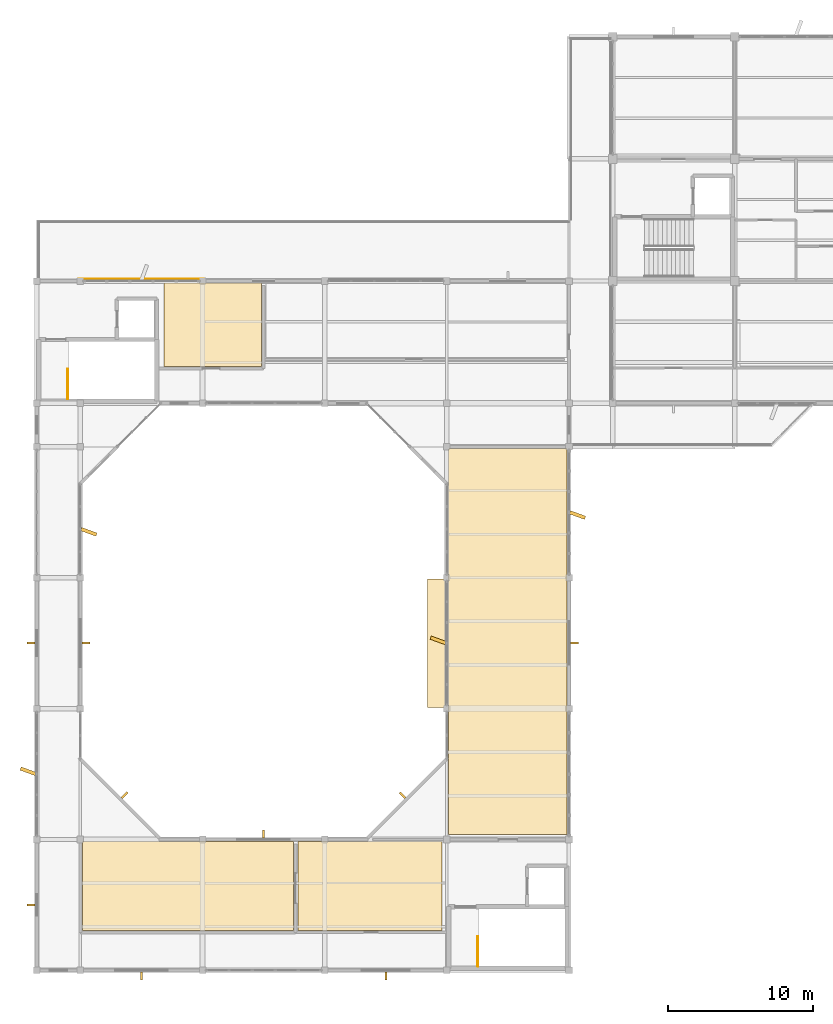
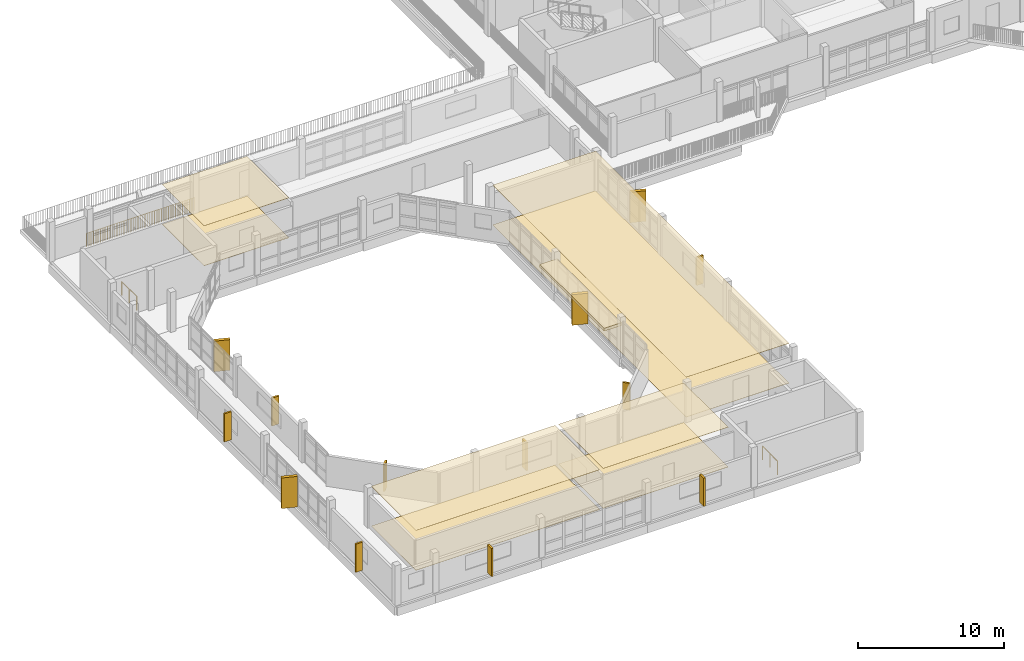
# One storey, part 24 of 33: 13 coverings, 9 shading devices, 3 railings.
"""IFC4 building model written with IfcOpenShell, lengths in metres."""

from ifc_helpers import new_model, si_unit, direction, frame, origin, origin_2d, place, context, subcontext, project, spatial, polyline, rectangle, circle, outline, extrude, material, layer, layer_set, type_object, element, save


model = new_model("IFC4")

# Units and contexts
model_context = context("Model", 3, precision=1e-05, world=origin(), true_north=direction((0.0, 1.0)))
body_context = subcontext(model_context, "Body", "Model", "MODEL_VIEW")
ifc_project = project(units=[si_unit("LENGTHUNIT", "METRE"), si_unit("AREAUNIT", "SQUARE_METRE"), si_unit("VOLUMEUNIT", "CUBIC_METRE"), si_unit("PLANEANGLEUNIT", "RADIAN"), si_unit("MASSUNIT", "GRAM", prefix="KILO")], contexts=[model_context])

# Site, building, storey
site_placement = place(None, origin())
site = spatial("IfcSite", under=ifc_project, at=site_placement, CompositionType="ELEMENT")
building_placement = place(site_placement, origin())
building = spatial("IfcBuilding", under=site, at=building_placement, Name="Vanh Quang Courtyard School", CompositionType="ELEMENT")
storey_placement = place(building_placement, frame((0.0, 0.0, 18.60009765625)))
storey = spatial("IfcBuildingStorey", under=building, at=storey_placement, Name="L05", CompositionType="ELEMENT", Elevation=18.60009765625)

# Coverings
ifc_material_1 = material(Name="Perforated mineral-fibre acoustic ceiling board")
ifc_layer_1 = layer(ifc_material_1, 0.02490234375)
ifc_layer_set_1 = layer_set([ifc_layer_1], Name="Perforated mineral-fibre acoustic ceiling board")
covering_type_1 = type_object("IfcCoveringType", Name="COV-CEIL-ACOUSTIC", PredefinedType="CEILING", material=ifc_layer_set_1)
covering_1_placement = place(storey_placement, frame((0.0, 0.0, 3.324951171875)))
element("IfcCovering", 1, at=covering_1_placement, inside=storey, type_object=covering_type_1, Name="Covering CV-CL1 (L05)", PredefinedType="CEILING", context=body_context, shape_type="SweptSolid", body=[
    extrude(outline(polyline([(55.469970703125, 35.159912109375), (55.469970703125, 35.158935546875), (55.4697265625, 35.157958984375), (55.469482421875, 35.156982421875), (55.46923828125, 35.15625), (55.46875, 35.1552734375), (55.46826171875, 35.154296875), (55.4677734375, 35.15380859375), (55.467041015625, 35.15283203125), (55.46630859375, 35.15234375), (55.465576171875, 35.151611328125), (55.464599609375, 35.151123046875), (55.4638671875, 35.15087890625), (55.462890625, 35.150390625), (55.4619140625, 35.150146484375), (55.4609375, 35.14990234375), (55.4599609375, 35.14990234375), (40.93994140625, 35.14990234375), (40.93896484375, 35.14990234375), (40.93798828125, 35.150146484375), (40.93701171875, 35.150390625), (40.936279296875, 35.15087890625), (40.935302734375, 35.151123046875), (40.934326171875, 35.151611328125), (40.93359375, 35.15234375), (40.932861328125, 35.15283203125), (40.932373046875, 35.15380859375), (40.931640625, 35.154296875), (40.93115234375, 35.1552734375), (40.930908203125, 35.15625), (40.930419921875, 35.156982421875), (40.93017578125, 35.157958984375), (40.929931640625, 35.158935546875), (40.929931640625, 35.159912109375), (40.929931640625, 41.260009765625), (40.929931640625, 41.260986328125), (40.93017578125, 41.261962890625), (40.930419921875, 41.262939453125), (40.930908203125, 41.263916015625), (40.93115234375, 41.2646484375), (40.931640625, 41.265625), (40.932373046875, 41.266357421875), (40.932861328125, 41.26708984375), (40.93359375, 41.267578125), (40.934326171875, 41.268310546875), (40.935302734375, 41.268798828125), (40.936279296875, 41.269287109375), (40.93701171875, 41.26953125), (40.93798828125, 41.269775390625), (40.93896484375, 41.27001953125), (40.93994140625, 41.27001953125), (55.4599609375, 41.27001953125), (55.4609375, 41.27001953125), (55.4619140625, 41.269775390625), (55.462890625, 41.26953125), (55.4638671875, 41.269287109375), (55.464599609375, 41.268798828125), (55.465576171875, 41.268310546875), (55.46630859375, 41.267578125), (55.467041015625, 41.26708984375), (55.4677734375, 41.266357421875), (55.46826171875, 41.265625), (55.46875, 41.2646484375), (55.46923828125, 41.263916015625), (55.469482421875, 41.262939453125), (55.4697265625, 41.261962890625), (55.469970703125, 41.260986328125), (55.469970703125, 41.260009765625), (55.469970703125, 35.159912109375)])), origin(), (0.0, 0.0, 1.0), 0.02490234375),
])
covering_2_placement = place(storey_placement, frame((0.0, 0.0, 3.324951171875)))
element("IfcCovering", 2, at=covering_2_placement, inside=storey, type_object=covering_type_1, Name="Covering CV-CL1 (L05)", PredefinedType="CEILING", context=body_context, shape_type="SweptSolid", body=[
    extrude(outline(polyline([(55.760009765625, 35.14990234375), (55.759033203125, 35.14990234375), (55.758056640625, 35.150146484375), (55.757080078125, 35.150390625), (55.756103515625, 35.15087890625), (55.75537109375, 35.151123046875), (55.75439453125, 35.151611328125), (55.753662109375, 35.15234375), (55.7529296875, 35.15283203125), (55.752197265625, 35.15380859375), (55.751708984375, 35.154296875), (55.751220703125, 35.1552734375), (55.750732421875, 35.15625), (55.75048828125, 35.156982421875), (55.750244140625, 35.157958984375), (55.75, 35.158935546875), (55.75, 35.159912109375), (55.75, 41.260009765625), (55.75, 41.260986328125), (55.750244140625, 41.261962890625), (55.75048828125, 41.262939453125), (55.750732421875, 41.263916015625), (55.751220703125, 41.2646484375), (55.751708984375, 41.265625), (55.752197265625, 41.266357421875), (55.7529296875, 41.26708984375), (55.753662109375, 41.267578125), (55.75439453125, 41.268310546875), (55.75537109375, 41.268798828125), (55.756103515625, 41.269287109375), (55.757080078125, 41.26953125), (55.758056640625, 41.269775390625), (55.759033203125, 41.27001953125), (55.760009765625, 41.27001953125), (65.64990234375, 41.27001953125), (65.64990234375, 35.14990234375), (55.760009765625, 35.14990234375)])), origin(), (0.0, 0.0, 1.0), 0.02490234375),
])
covering_3_placement = place(storey_placement, frame((0.0, 0.0, 3.324951171875)))
element("IfcCovering", 3, at=covering_3_placement, inside=storey, type_object=covering_type_1, Name="Covering CV-CL1 (L05)", PredefinedType="CEILING", context=body_context, shape_type="SweptSolid", body=[
    extrude(outline(polyline([(53.27001953125, 73.93994140625), (53.27001953125, 73.93896484375), (53.269775390625, 73.93798828125), (53.26953125, 73.93701171875), (53.269287109375, 73.936279296875), (53.268798828125, 73.935302734375), (53.268310546875, 73.934326171875), (53.267578125, 73.93359375), (53.26708984375, 73.932861328125), (53.266357421875, 73.932373046875), (53.265625, 73.931640625), (53.2646484375, 73.93115234375), (53.263916015625, 73.930908203125), (53.262939453125, 73.930419921875), (53.261962890625, 73.93017578125), (53.260986328125, 73.929931640625), (53.260009765625, 73.929931640625), (46.550048828125, 73.929931640625), (46.550048828125, 79.669921875), (53.260009765625, 79.669921875), (53.260986328125, 79.669921875), (53.261962890625, 79.669921875), (53.262939453125, 79.669677734375), (53.263916015625, 79.669189453125), (53.2646484375, 79.668701171875), (53.265625, 79.668212890625), (53.266357421875, 79.667724609375), (53.26708984375, 79.6669921875), (53.267578125, 79.666259765625), (53.268310546875, 79.66552734375), (53.268798828125, 79.664794921875), (53.269287109375, 79.663818359375), (53.26953125, 79.662841796875), (53.269775390625, 79.662109375), (53.27001953125, 79.660888671875), (53.27001953125, 79.659912109375), (53.27001953125, 73.93994140625)])), origin(), (0.0, 0.0, 1.0), 0.02490234375),
])
covering_4_placement = place(storey_placement, frame((0.0, 0.0, 3.324951171875)))
element("IfcCovering", 4, at=covering_4_placement, inside=storey, type_object=covering_type_1, Name="Covering CV-CL1 (L05)", PredefinedType="CEILING", context=body_context, shape_type="SweptSolid", body=[
    extrude(outline(polyline([(66.1298828125, 68.260009765625), (66.1298828125, 68.260986328125), (66.130126953125, 68.261962890625), (66.13037109375, 68.262939453125), (66.130859375, 68.263916015625), (66.131103515625, 68.2646484375), (66.131591796875, 68.265625), (66.13232421875, 68.266357421875), (66.1328125, 68.26708984375), (66.1337890625, 68.267578125), (66.134521484375, 68.268310546875), (66.13525390625, 68.268798828125), (66.13623046875, 68.269287109375), (66.13720703125, 68.26953125), (66.137939453125, 68.269775390625), (66.138916015625, 68.27001953125), (66.139892578125, 68.27001953125), (74.260009765625, 68.27001953125), (74.260986328125, 68.27001953125), (74.261962890625, 68.269775390625), (74.262939453125, 68.26953125), (74.263916015625, 68.269287109375), (74.2646484375, 68.268798828125), (74.265625, 68.268310546875), (74.266357421875, 68.267578125), (74.26708984375, 68.26708984375), (74.267578125, 68.266357421875), (74.268310546875, 68.265625), (74.268798828125, 68.2646484375), (74.269287109375, 68.263916015625), (74.26953125, 68.262939453125), (74.269775390625, 68.261962890625), (74.27001953125, 68.260986328125), (74.27001953125, 68.260009765625), (74.27001953125, 41.75), (66.1298828125, 41.75), (66.1298828125, 68.260009765625)])), origin(), (0.0, 0.0, 1.0), 0.02490234375),
])
ifc_material_2 = material(Name="Polished cementitious terrazzo tile", Category="concrete")
ifc_layer_2 = layer(ifc_material_2, 0.02001953125)
ifc_layer_set_2 = layer_set([ifc_layer_2], Name="Polished cementitious terrazzo tile")
covering_type_2 = type_object("IfcCoveringType", Name="COV-FLR-TERRAZZO", PredefinedType="FLOORING", material=ifc_layer_set_2)
covering_5_placement = place(storey_placement, origin())
element("IfcCovering", 5, at=covering_5_placement, inside=storey, type_object=covering_type_2, Name="Covering CV-FL1 (L05)", PredefinedType="FLOORING", context=body_context, shape_type="SweptSolid", body=[
    extrude(outline(polyline([(55.469970703125, 35.159912109375), (55.469970703125, 35.158935546875), (55.4697265625, 35.157958984375), (55.469482421875, 35.156982421875), (55.46923828125, 35.15625), (55.46875, 35.1552734375), (55.46826171875, 35.154296875), (55.4677734375, 35.15380859375), (55.467041015625, 35.15283203125), (55.46630859375, 35.15234375), (55.465576171875, 35.151611328125), (55.464599609375, 35.151123046875), (55.4638671875, 35.15087890625), (55.462890625, 35.150390625), (55.4619140625, 35.150146484375), (55.4609375, 35.14990234375), (55.4599609375, 35.14990234375), (40.93994140625, 35.14990234375), (40.93896484375, 35.14990234375), (40.93798828125, 35.150146484375), (40.93701171875, 35.150390625), (40.936279296875, 35.15087890625), (40.935302734375, 35.151123046875), (40.934326171875, 35.151611328125), (40.93359375, 35.15234375), (40.932861328125, 35.15283203125), (40.932373046875, 35.15380859375), (40.931640625, 35.154296875), (40.93115234375, 35.1552734375), (40.930908203125, 35.15625), (40.930419921875, 35.156982421875), (40.93017578125, 35.157958984375), (40.929931640625, 35.158935546875), (40.929931640625, 35.159912109375), (40.929931640625, 41.260009765625), (40.929931640625, 41.260986328125), (40.93017578125, 41.261962890625), (40.930419921875, 41.262939453125), (40.930908203125, 41.263916015625), (40.93115234375, 41.2646484375), (40.931640625, 41.265625), (40.932373046875, 41.266357421875), (40.932861328125, 41.26708984375), (40.93359375, 41.267578125), (40.934326171875, 41.268310546875), (40.935302734375, 41.268798828125), (40.936279296875, 41.269287109375), (40.93701171875, 41.26953125), (40.93798828125, 41.269775390625), (40.93896484375, 41.27001953125), (40.93994140625, 41.27001953125), (55.4599609375, 41.27001953125), (55.4609375, 41.27001953125), (55.4619140625, 41.269775390625), (55.462890625, 41.26953125), (55.4638671875, 41.269287109375), (55.464599609375, 41.268798828125), (55.465576171875, 41.268310546875), (55.46630859375, 41.267578125), (55.467041015625, 41.26708984375), (55.4677734375, 41.266357421875), (55.46826171875, 41.265625), (55.46875, 41.2646484375), (55.46923828125, 41.263916015625), (55.469482421875, 41.262939453125), (55.4697265625, 41.261962890625), (55.469970703125, 41.260986328125), (55.469970703125, 41.260009765625), (55.469970703125, 35.159912109375)])), origin(), (0.0, 0.0, 1.0), 0.02001953125),
])
covering_6_placement = place(storey_placement, origin())
element("IfcCovering", 6, at=covering_6_placement, inside=storey, type_object=covering_type_2, Name="Covering CV-FL1 (L05)", PredefinedType="FLOORING", context=body_context, shape_type="SweptSolid", body=[
    extrude(outline(polyline([(55.760009765625, 35.14990234375), (55.759033203125, 35.14990234375), (55.758056640625, 35.150146484375), (55.757080078125, 35.150390625), (55.756103515625, 35.15087890625), (55.75537109375, 35.151123046875), (55.75439453125, 35.151611328125), (55.753662109375, 35.15234375), (55.7529296875, 35.15283203125), (55.752197265625, 35.15380859375), (55.751708984375, 35.154296875), (55.751220703125, 35.1552734375), (55.750732421875, 35.15625), (55.75048828125, 35.156982421875), (55.750244140625, 35.157958984375), (55.75, 35.158935546875), (55.75, 35.159912109375), (55.75, 41.260009765625), (55.75, 41.260986328125), (55.750244140625, 41.261962890625), (55.75048828125, 41.262939453125), (55.750732421875, 41.263916015625), (55.751220703125, 41.2646484375), (55.751708984375, 41.265625), (55.752197265625, 41.266357421875), (55.7529296875, 41.26708984375), (55.753662109375, 41.267578125), (55.75439453125, 41.268310546875), (55.75537109375, 41.268798828125), (55.756103515625, 41.269287109375), (55.757080078125, 41.26953125), (55.758056640625, 41.269775390625), (55.759033203125, 41.27001953125), (55.760009765625, 41.27001953125), (65.64990234375, 41.27001953125), (65.64990234375, 35.14990234375), (55.760009765625, 35.14990234375)])), origin(), (0.0, 0.0, 1.0), 0.02001953125),
])
covering_7_placement = place(storey_placement, origin())
element("IfcCovering", 7, at=covering_7_placement, inside=storey, type_object=covering_type_2, Name="Covering CV-FL1 (L05)", PredefinedType="FLOORING", context=body_context, shape_type="SweptSolid", body=[
    extrude(outline(polyline([(53.27001953125, 73.93994140625), (53.27001953125, 73.93896484375), (53.269775390625, 73.93798828125), (53.26953125, 73.93701171875), (53.269287109375, 73.936279296875), (53.268798828125, 73.935302734375), (53.268310546875, 73.934326171875), (53.267578125, 73.93359375), (53.26708984375, 73.932861328125), (53.266357421875, 73.932373046875), (53.265625, 73.931640625), (53.2646484375, 73.93115234375), (53.263916015625, 73.930908203125), (53.262939453125, 73.930419921875), (53.261962890625, 73.93017578125), (53.260986328125, 73.929931640625), (53.260009765625, 73.929931640625), (46.550048828125, 73.929931640625), (46.550048828125, 79.669921875), (53.260009765625, 79.669921875), (53.260986328125, 79.669921875), (53.261962890625, 79.669921875), (53.262939453125, 79.669677734375), (53.263916015625, 79.669189453125), (53.2646484375, 79.668701171875), (53.265625, 79.668212890625), (53.266357421875, 79.667724609375), (53.26708984375, 79.6669921875), (53.267578125, 79.666259765625), (53.268310546875, 79.66552734375), (53.268798828125, 79.664794921875), (53.269287109375, 79.663818359375), (53.26953125, 79.662841796875), (53.269775390625, 79.662109375), (53.27001953125, 79.660888671875), (53.27001953125, 79.659912109375), (53.27001953125, 73.93994140625)])), origin(), (0.0, 0.0, 1.0), 0.02001953125),
])
covering_8_placement = place(storey_placement, origin())
element("IfcCovering", 8, at=covering_8_placement, inside=storey, type_object=covering_type_2, Name="Covering CV-FL1 (L05)", PredefinedType="FLOORING", context=body_context, shape_type="SweptSolid", body=[
    extrude(outline(polyline([(66.1298828125, 68.260009765625), (66.1298828125, 68.260986328125), (66.130126953125, 68.261962890625), (66.13037109375, 68.262939453125), (66.130859375, 68.263916015625), (66.131103515625, 68.2646484375), (66.131591796875, 68.265625), (66.13232421875, 68.266357421875), (66.1328125, 68.26708984375), (66.1337890625, 68.267578125), (66.134521484375, 68.268310546875), (66.13525390625, 68.268798828125), (66.13623046875, 68.269287109375), (66.13720703125, 68.26953125), (66.137939453125, 68.269775390625), (66.138916015625, 68.27001953125), (66.139892578125, 68.27001953125), (74.260009765625, 68.27001953125), (74.260986328125, 68.27001953125), (74.261962890625, 68.269775390625), (74.262939453125, 68.26953125), (74.263916015625, 68.269287109375), (74.2646484375, 68.268798828125), (74.265625, 68.268310546875), (74.266357421875, 68.267578125), (74.26708984375, 68.26708984375), (74.267578125, 68.266357421875), (74.268310546875, 68.265625), (74.268798828125, 68.2646484375), (74.269287109375, 68.263916015625), (74.26953125, 68.262939453125), (74.269775390625, 68.261962890625), (74.27001953125, 68.260986328125), (74.27001953125, 68.260009765625), (74.27001953125, 41.75), (66.1298828125, 41.75), (66.1298828125, 68.260009765625)])), origin(), (0.0, 0.0, 1.0), 0.02001953125),
])
ifc_material_3 = material(Name="Board-marked precast concrete C40/50", Category="concrete")
ifc_layer_3 = layer(ifc_material_3, 0.239990234375)
ifc_layer_set_3 = layer_set([ifc_layer_3], Name="Board-marked precast concrete C40/50")
covering_type_3 = type_object("IfcCoveringType", Name="COV-HOOD-CONC", PredefinedType="CLADDING", material=ifc_layer_set_3)
for number, where, z_axis, x_axis, name in (
    (9, (37.215087890625, 46.090087890625, -0.000244140625), (0.0, 0.0, 1.0), (-0.94028812701, 0.340379550213, 0.0), "Covering CH-01 (L05)"),
    (10, (74.985107421875, 63.7099609375, -0.000244140625), (0.0, 0.0, 1.0), (0.94028812701, -0.340379550213, 0.0), "Covering CH-01 (L05)"),
    (11, (41.385009765625, 62.554443359375, -0.000244140625), (0.0, 0.0, 1.0), (0.94028812701, -0.340379550213, 0.0), "Covering CH-01 (L05)"),
):
    element("IfcCovering", number, at=place(storey_placement, frame(where, z_axis=z_axis, x_axis=x_axis)), inside=storey, type_object=covering_type_3, Name=name, PredefinedType="CLADDING", context=body_context, shape_type="SweptSolid", body=[
        extrude(rectangle(XDim=1.11669921875, YDim=0.239990234375, at=origin_2d()), origin(), (0.0, 0.0, 1.0), 2.56005859375),
    ])
covering_9_placement = place(storey_placement, frame((65.3798828125, 54.89990234375, 2.40966796875), z_axis=(0.0, 0.0, 1.0), x_axis=(0.0, 1.0, 0.0)))
element("IfcCovering", 12, at=covering_9_placement, inside=storey, type_object=covering_type_3, Name="Covering CH-01 (L05)", PredefinedType="CLADDING", context=body_context, shape_type="SweptSolid", body=[
    extrude(rectangle(XDim=8.833984375, YDim=1.39990234375, at=origin_2d()), origin(), (0.0, 0.0, 1.0), 0.239990234375),
])
covering_10_placement = place(storey_placement, frame((65.4150390625, 55.090087890625, -0.000244140625), z_axis=(0.0, 0.0, 1.0), x_axis=(-0.94028812701, 0.340379550213, 0.0)))
element("IfcCovering", 13, at=covering_10_placement, inside=storey, type_object=covering_type_3, Name="Covering CH-01 (L05)", PredefinedType="CLADDING", context=body_context, shape_type="SweptSolid", body=[
    extrude(rectangle(XDim=1.11669921875, YDim=0.239990234375, at=origin_2d()), origin(), (0.0, 0.0, 1.0), 2.56005859375),
])

# Railings
ifc_material_4 = material(Name="Galvanised painted steel EN 10025-2 S355J2", Category="steel")
railing_type = type_object("IfcRailingType", Name="RAIL-GUARD-1150", PredefinedType="BALUSTRADE", material=ifc_material_4)
railing_placement = place(storey_placement, frame((49.2802734375, 79.93994140625, 0.0)))
element("IfcRailing", 14, at=railing_placement, inside=storey, type_object=railing_type, Name="Railing GR-01 (L05)", PredefinedType="BALUSTRADE", context=body_context, shape_type="SweptSolid", body=[
    extrude(circle(Radius=0.02392578125, at=origin_2d()), frame((0.0, 0.0, 1.1259765625), z_axis=(-1.0, 0.0, 0.0), x_axis=(0.0, -1.0, 0.0)), (0.0, 0.0, 1.0), 8.560546875),
    extrude(circle(Radius=0.02099609375, at=origin_2d()), origin(), (0.0, 0.0, 1.0), 1.101806640625),
    extrude(circle(Radius=0.02099609375, at=origin_2d()), frame((-0.13818359375, 0.0, 0.0)), (0.0, 0.0, 1.0), 1.101806640625),
    extrude(circle(Radius=0.02099609375, at=origin_2d()), frame((-0.276123046875, 0.0, 0.0)), (0.0, 0.0, 1.0), 1.101806640625),
    extrude(circle(Radius=0.02099609375, at=origin_2d()), frame((-0.414306640625, 0.0, 0.0)), (0.0, 0.0, 1.0), 1.101806640625),
    extrude(circle(Radius=0.02099609375, at=origin_2d()), frame((-0.55224609375, 0.0, 0.0)), (0.0, 0.0, 1.0), 1.101806640625),
    extrude(circle(Radius=0.02099609375, at=origin_2d()), frame((-0.6904296875, 0.0, 0.0)), (0.0, 0.0, 1.0), 1.101806640625),
    extrude(circle(Radius=0.02099609375, at=origin_2d()), frame((-0.828369140625, 0.0, 0.0)), (0.0, 0.0, 1.0), 1.101806640625),
    extrude(circle(Radius=0.02099609375, at=origin_2d()), frame((-0.966552734375, 0.0, 0.0)), (0.0, 0.0, 1.0), 1.101806640625),
    extrude(circle(Radius=0.02099609375, at=origin_2d()), frame((-1.1044921875, 0.0, 0.0)), (0.0, 0.0, 1.0), 1.101806640625),
    extrude(circle(Radius=0.02099609375, at=origin_2d()), frame((-1.24267578125, 0.0, 0.0)), (0.0, 0.0, 1.0), 1.101806640625),
    extrude(circle(Radius=0.02099609375, at=origin_2d()), frame((-1.380615234375, 0.0, 0.0)), (0.0, 0.0, 1.0), 1.101806640625),
    extrude(circle(Radius=0.02099609375, at=origin_2d()), frame((-1.518798828125, 0.0, 0.0)), (0.0, 0.0, 1.0), 1.101806640625),
    extrude(circle(Radius=0.02099609375, at=origin_2d()), frame((-1.656982421875, 0.0, 0.0)), (0.0, 0.0, 1.0), 1.101806640625),
    extrude(circle(Radius=0.02099609375, at=origin_2d()), frame((-1.794921875, 0.0, 0.0)), (0.0, 0.0, 1.0), 1.101806640625),
    extrude(circle(Radius=0.02099609375, at=origin_2d()), frame((-1.93310546875, 0.0, 0.0)), (0.0, 0.0, 1.0), 1.101806640625),
    extrude(circle(Radius=0.02099609375, at=origin_2d()), frame((-2.071044921875, 0.0, 0.0)), (0.0, 0.0, 1.0), 1.101806640625),
    extrude(circle(Radius=0.02099609375, at=origin_2d()), frame((-2.209228515625, 0.0, 0.0)), (0.0, 0.0, 1.0), 1.101806640625),
    extrude(circle(Radius=0.02099609375, at=origin_2d()), frame((-2.34716796875, 0.0, 0.0)), (0.0, 0.0, 1.0), 1.101806640625),
    extrude(circle(Radius=0.02099609375, at=origin_2d()), frame((-2.4853515625, 0.0, 0.0)), (0.0, 0.0, 1.0), 1.101806640625),
    extrude(circle(Radius=0.02099609375, at=origin_2d()), frame((-2.623291015625, 0.0, 0.0)), (0.0, 0.0, 1.0), 1.101806640625),
    extrude(circle(Radius=0.02099609375, at=origin_2d()), frame((-2.761474609375, 0.0, 0.0)), (0.0, 0.0, 1.0), 1.101806640625),
    extrude(circle(Radius=0.02099609375, at=origin_2d()), frame((-2.899658203125, 0.0, 0.0)), (0.0, 0.0, 1.0), 1.101806640625),
    extrude(circle(Radius=0.02099609375, at=origin_2d()), frame((-3.03759765625, 0.0, 0.0)), (0.0, 0.0, 1.0), 1.101806640625),
    extrude(circle(Radius=0.02099609375, at=origin_2d()), frame((-3.17578125, 0.0, 0.0)), (0.0, 0.0, 1.0), 1.101806640625),
    extrude(circle(Radius=0.02099609375, at=origin_2d()), frame((-3.313720703125, 0.0, 0.0)), (0.0, 0.0, 1.0), 1.101806640625),
    extrude(circle(Radius=0.02099609375, at=origin_2d()), frame((-3.451904296875, 0.0, 0.0)), (0.0, 0.0, 1.0), 1.101806640625),
    extrude(circle(Radius=0.02099609375, at=origin_2d()), frame((-3.58984375, 0.0, 0.0)), (0.0, 0.0, 1.0), 1.101806640625),
    extrude(circle(Radius=0.02099609375, at=origin_2d()), frame((-3.72802734375, 0.0, 0.0)), (0.0, 0.0, 1.0), 1.101806640625),
    extrude(circle(Radius=0.02099609375, at=origin_2d()), frame((-3.865966796875, 0.0, 0.0)), (0.0, 0.0, 1.0), 1.101806640625),
    extrude(circle(Radius=0.02099609375, at=origin_2d()), frame((-4.004150390625, 0.0, 0.0)), (0.0, 0.0, 1.0), 1.101806640625),
    extrude(circle(Radius=0.02099609375, at=origin_2d()), frame((-4.14208984375, 0.0, 0.0)), (0.0, 0.0, 1.0), 1.101806640625),
    extrude(circle(Radius=0.02099609375, at=origin_2d()), frame((-4.2802734375, 0.0, 0.0)), (0.0, 0.0, 1.0), 1.101806640625),
    extrude(circle(Radius=0.02099609375, at=origin_2d()), frame((-4.41845703125, 0.0, 0.0)), (0.0, 0.0, 1.0), 1.101806640625),
    extrude(circle(Radius=0.02099609375, at=origin_2d()), frame((-4.556396484375, 0.0, 0.0)), (0.0, 0.0, 1.0), 1.101806640625),
    extrude(circle(Radius=0.02099609375, at=origin_2d()), frame((-4.694580078125, 0.0, 0.0)), (0.0, 0.0, 1.0), 1.101806640625),
    extrude(circle(Radius=0.02099609375, at=origin_2d()), frame((-4.83251953125, 0.0, 0.0)), (0.0, 0.0, 1.0), 1.101806640625),
    extrude(circle(Radius=0.02099609375, at=origin_2d()), frame((-4.970703125, 0.0, 0.0)), (0.0, 0.0, 1.0), 1.101806640625),
    extrude(circle(Radius=0.02099609375, at=origin_2d()), frame((-5.108642578125, 0.0, 0.0)), (0.0, 0.0, 1.0), 1.101806640625),
    extrude(circle(Radius=0.02099609375, at=origin_2d()), frame((-5.246826171875, 0.0, 0.0)), (0.0, 0.0, 1.0), 1.101806640625),
    extrude(circle(Radius=0.02099609375, at=origin_2d()), frame((-5.384765625, 0.0, 0.0)), (0.0, 0.0, 1.0), 1.101806640625),
    extrude(circle(Radius=0.02099609375, at=origin_2d()), frame((-5.52294921875, 0.0, 0.0)), (0.0, 0.0, 1.0), 1.101806640625),
    extrude(circle(Radius=0.02099609375, at=origin_2d()), frame((-5.660888671875, 0.0, 0.0)), (0.0, 0.0, 1.0), 1.101806640625),
    extrude(circle(Radius=0.02099609375, at=origin_2d()), frame((-5.799072265625, 0.0, 0.0)), (0.0, 0.0, 1.0), 1.101806640625),
    extrude(circle(Radius=0.02099609375, at=origin_2d()), frame((-5.937255859375, 0.0, 0.0)), (0.0, 0.0, 1.0), 1.101806640625),
    extrude(circle(Radius=0.02099609375, at=origin_2d()), frame((-6.0751953125, 0.0, 0.0)), (0.0, 0.0, 1.0), 1.101806640625),
    extrude(circle(Radius=0.02099609375, at=origin_2d()), frame((-6.21337890625, 0.0, 0.0)), (0.0, 0.0, 1.0), 1.101806640625),
    extrude(circle(Radius=0.02099609375, at=origin_2d()), frame((-6.351318359375, 0.0, 0.0)), (0.0, 0.0, 1.0), 1.101806640625),
    extrude(circle(Radius=0.02099609375, at=origin_2d()), frame((-6.489501953125, 0.0, 0.0)), (0.0, 0.0, 1.0), 1.101806640625),
    extrude(circle(Radius=0.02099609375, at=origin_2d()), frame((-6.62744140625, 0.0, 0.0)), (0.0, 0.0, 1.0), 1.101806640625),
    extrude(circle(Radius=0.02099609375, at=origin_2d()), frame((-6.765625, 0.0, 0.0)), (0.0, 0.0, 1.0), 1.101806640625),
    extrude(circle(Radius=0.02099609375, at=origin_2d()), frame((-6.903564453125, 0.0, 0.0)), (0.0, 0.0, 1.0), 1.101806640625),
    extrude(circle(Radius=0.02099609375, at=origin_2d()), frame((-7.041748046875, 0.0, 0.0)), (0.0, 0.0, 1.0), 1.101806640625),
    extrude(circle(Radius=0.02099609375, at=origin_2d()), frame((-7.179931640625, 0.0, 0.0)), (0.0, 0.0, 1.0), 1.101806640625),
    extrude(circle(Radius=0.02099609375, at=origin_2d()), frame((-7.31787109375, 0.0, 0.0)), (0.0, 0.0, 1.0), 1.101806640625),
    extrude(circle(Radius=0.02099609375, at=origin_2d()), frame((-7.4560546875, 0.0, 0.0)), (0.0, 0.0, 1.0), 1.101806640625),
    extrude(circle(Radius=0.02099609375, at=origin_2d()), frame((-7.593994140625, 0.0, 0.0)), (0.0, 0.0, 1.0), 1.101806640625),
    extrude(circle(Radius=0.02099609375, at=origin_2d()), frame((-7.732177734375, 0.0, 0.0)), (0.0, 0.0, 1.0), 1.101806640625),
    extrude(circle(Radius=0.02099609375, at=origin_2d()), frame((-7.8701171875, 0.0, 0.0)), (0.0, 0.0, 1.0), 1.101806640625),
    extrude(circle(Radius=0.02099609375, at=origin_2d()), frame((-8.00830078125, 0.0, 0.0)), (0.0, 0.0, 1.0), 1.101806640625),
    extrude(circle(Radius=0.02099609375, at=origin_2d()), frame((-8.146240234375, 0.0, 0.0)), (0.0, 0.0, 1.0), 1.101806640625),
    extrude(circle(Radius=0.02099609375, at=origin_2d()), frame((-8.284423828125, 0.0, 0.0)), (0.0, 0.0, 1.0), 1.101806640625),
    extrude(circle(Radius=0.02099609375, at=origin_2d()), frame((-8.42236328125, 0.0, 0.0)), (0.0, 0.0, 1.0), 1.101806640625),
    extrude(circle(Radius=0.02099609375, at=origin_2d()), frame((-8.560546875, 0.0, 0.0)), (0.0, 0.0, 1.0), 1.101806640625),
])
for number, where, name in (
    (15, (39.929931640625, 71.679931640625, 0.0), "L05 ST-03 top well guard 1"),
    (16, (68.1298828125, 32.679931640625, 0.0), "L05 ST-04 top well guard 1"),
):
    element("IfcRailing", number, at=place(storey_placement, frame(where)), inside=storey, type_object=railing_type, Name=name, PredefinedType="BALUSTRADE", context=body_context, shape_type="SweptSolid", body=[
        extrude(circle(Radius=0.02392578125, at=origin_2d()), frame((0.0, 0.0, 1.1259765625), z_axis=(0.0, 1.0, 0.0), x_axis=(-1.0, 0.0, 0.0)), (0.0, 0.0, 1.0), 2.06005859375),
        extrude(circle(Radius=0.02099609375, at=origin_2d()), origin(), (0.0, 0.0, 1.0), 1.101806640625),
        extrude(circle(Radius=0.02099609375, at=origin_2d()), frame((0.0, 1.030029296875, 0.0)), (0.0, 0.0, 1.0), 1.101806640625),
        extrude(circle(Radius=0.02099609375, at=origin_2d()), frame((0.0, 2.06005859375, 0.0)), (0.0, 0.0, 1.0), 1.101806640625),
    ])

# Shading devices
shading_device_type = type_object("IfcShadingDeviceType", Name="SHD-FIN-CONCRETE", PredefinedType="USERDEFINED", material=ifc_material_3)
for number, where, z_axis, x_axis, name in (
    (17, (61.800048828125, 32.014892578125, 0.14990234375), (0.0, 0.0, 1.0), (-1.0, 0.0, 0.0), "Solar Shading SH-02 (L05)"),
    (18, (45.0, 32.014892578125, 0.14990234375), (0.0, 0.0, 1.0), (-1.0, 0.0, 0.0), "Solar Shading SH-02 (L05)"),
    (19, (37.4150390625, 36.89990234375, 0.14990234375), (0.0, 0.0, 1.0), (0.0, 1.0, 0.0), "Solar Shading SH-02 (L05)"),
    (20, (37.4150390625, 54.89990234375, 0.14990234375), (0.0, 0.0, 1.0), (0.0, 1.0, 0.0), "Solar Shading SH-02 (L05)"),
    (21, (74.784912109375, 54.89990234375, 0.14990234375), (0.0, 0.0, 1.0), (0.0, -1.0, 0.0), "Solar Shading SH-02 (L05)"),
    (22, (41.18505859375, 54.89990234375, 0.14990234375), (0.0, 0.0, 1.0), (0.0, -1.0, 0.0), "Solar Shading SH-02 (L05)"),
):
    element("IfcShadingDevice", number, at=place(storey_placement, frame(where, z_axis=z_axis, x_axis=x_axis)), inside=storey, type_object=shading_device_type, Name=name, ObjectType="Solar Shading SH-02 (L05)", PredefinedType="USERDEFINED", context=body_context, shape_type="SweptSolid", body=[
        extrude(rectangle(XDim=0.139892578125, YDim=0.550048828125, at=origin_2d()), origin(), (0.0, 0.0, 1.0), 2.35009765625),
    ])
shading_device_1_placement = place(storey_placement, frame((43.84423828125, 44.444091796875, 0.14990234375), z_axis=(0.0, 0.0, 1.0), x_axis=(0.707106781187, -0.707106781187, 0.0)))
element("IfcShadingDevice", 23, at=shading_device_1_placement, inside=storey, type_object=shading_device_type, Name="Solar Shading SH-02 (L05)", ObjectType="Solar Shading SH-02 (L05)", PredefinedType="USERDEFINED", context=body_context, shape_type="SweptSolid", body=[
    extrude(rectangle(XDim=0.139892578125, YDim=0.550048828125, at=origin_2d()), origin(), (0.0, 0.0, 1.0), 2.25),
])
shading_device_2_placement = place(storey_placement, frame((53.39990234375, 41.784912109375, 0.14990234375), z_axis=(0.0, 0.0, 1.0), x_axis=(1.0, 0.0, 0.0)))
element("IfcShadingDevice", 24, at=shading_device_2_placement, inside=storey, type_object=shading_device_type, Name="Solar Shading SH-02 (L05)", ObjectType="Solar Shading SH-02 (L05)", PredefinedType="USERDEFINED", context=body_context, shape_type="SweptSolid", body=[
    extrude(rectangle(XDim=0.139892578125, YDim=0.550048828125, at=origin_2d()), origin(), (0.0, 0.0, 1.0), 2.35009765625),
])
shading_device_3_placement = place(storey_placement, frame((62.955810546875, 44.444091796875, 0.14990234375), z_axis=(0.0, 0.0, 1.0), x_axis=(0.707106781187, 0.707106781187, 0.0)))
element("IfcShadingDevice", 25, at=shading_device_3_placement, inside=storey, type_object=shading_device_type, Name="Solar Shading SH-02 (L05)", ObjectType="Solar Shading SH-02 (L05)", PredefinedType="USERDEFINED", context=body_context, shape_type="SweptSolid", body=[
    extrude(rectangle(XDim=0.139892578125, YDim=0.550048828125, at=origin_2d()), origin(), (0.0, 0.0, 1.0), 2.25),
])

save(model, "model.ifc")
